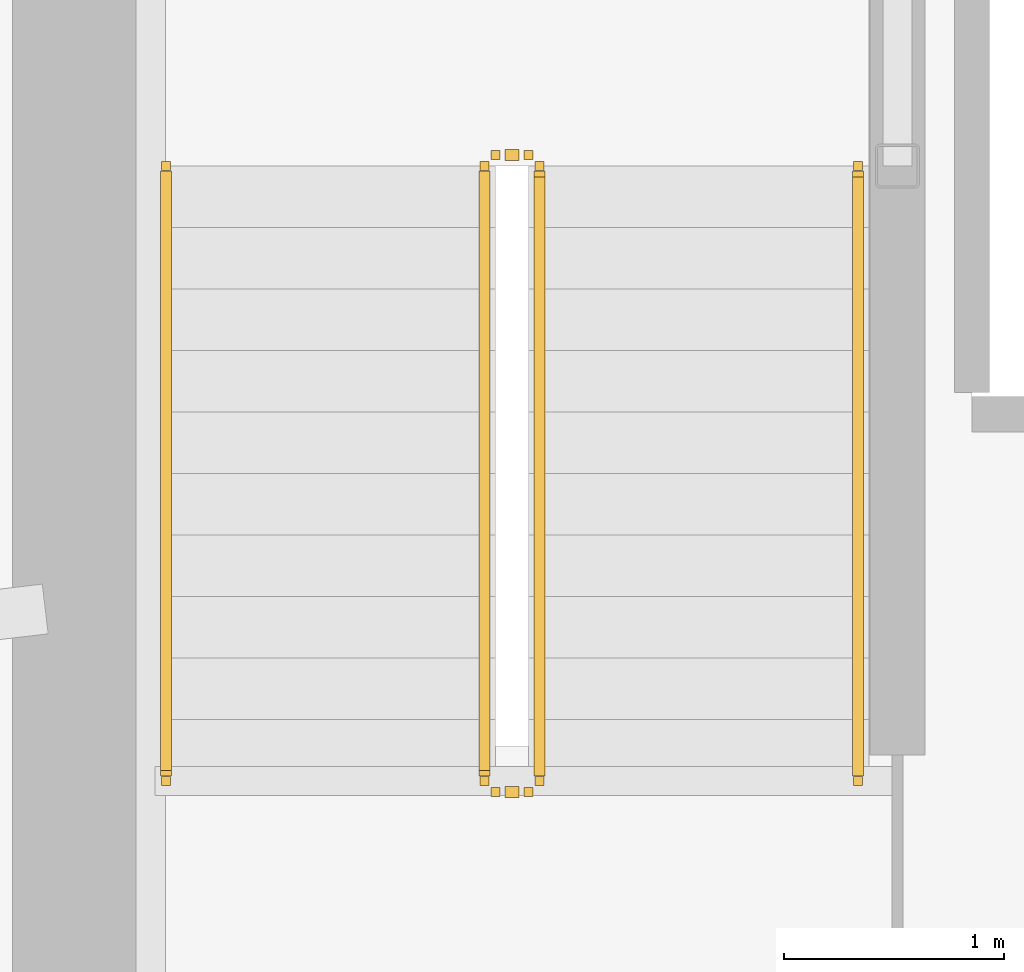
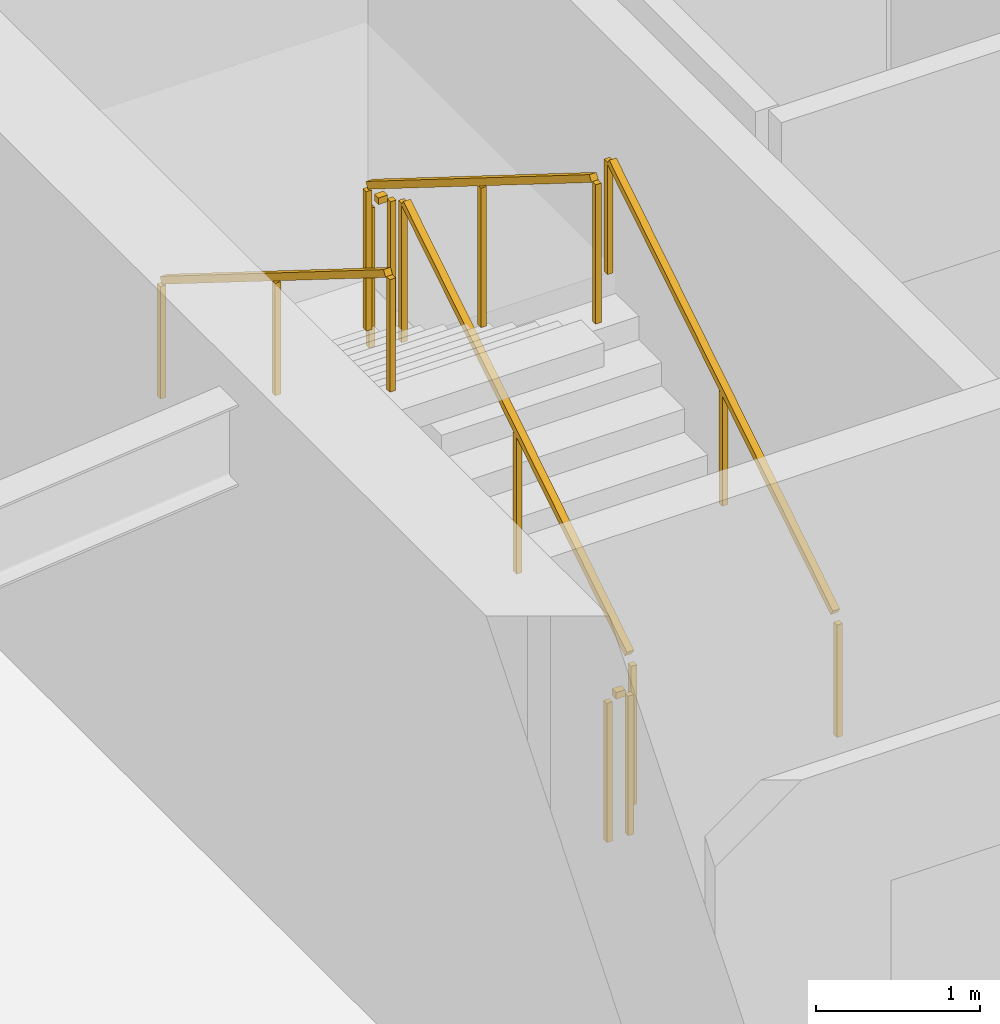
# One storey, part 25 of 30: 6 railings.
"""IFC4 building model written with IfcOpenShell, lengths in metres."""

import ifcopenshell
import ifcopenshell.guid

model = None  # the IFC model being written
_history = None  # IfcOwnerHistory: only IFC2X3 demands one
_inside = {}  # id of a spatial element -> (the spatial element, [elements in it])
_under = {}  # id of a project, library or spatial element -> (it, [spatial elements below it])
_declared = {}  # id of a project -> (the project, [libraries it declares])
_typed = {}  # id of a type object -> (the type object, [elements of that type])
_made_of = {}  # id of a material, layer set ... -> (it, [elements and type objects made of it])


def new_model(schema):
    """Start an empty IFC model of exactly this schema.

    Asked for "IFC4X3", IfcOpenShell would pick the latest addendum, in which some entities
    have other attributes; the version numbers below select the first issue.
    IFC2X3 requires an IfcOwnerHistory on every rooted entity: one is made here for all.
    """
    global model, _history
    if schema == "IFC4X3":
        model = ifcopenshell.file(schema_version=(4, 3, 0, 0))
    else:
        model = ifcopenshell.file(schema=schema)
    _inside.clear()
    _under.clear()
    _declared.clear()
    _typed.clear()
    _made_of.clear()
    _history = None
    if model.schema == "IFC2X3":
        org = make("IfcOrganization", Name="unknown")
        user = make(
            "IfcPersonAndOrganization",
            ThePerson=make("IfcPerson", FamilyName="unknown"),
            TheOrganization=org,
        )
        app = make(
            "IfcApplication",
            ApplicationDeveloper=org,
            Version="unknown",
            ApplicationFullName="unknown",
            ApplicationIdentifier="unknown",
        )
        _history = make(
            "IfcOwnerHistory",
            OwningUser=user,
            OwningApplication=app,
            ChangeAction="ADDED",
            CreationDate=0,
        )
    return model


def make(cls, **values):
    """One entity of the class cls with the attributes given. An attribute that is None is left unset."""
    return model.create_entity(
        cls, **{name: value for name, value in values.items() if value is not None}
    )


def rooted(cls, **values):
    """An entity with a GlobalId (a new one), such as an element, a storey or a relation."""
    return make(cls, GlobalId=ifcopenshell.guid.new(), OwnerHistory=_history, **values)


def si_unit(unit_type, name, prefix=None):
    """IfcSIUnit, for example si_unit("LENGTHUNIT", "METRE", prefix="MILLI")."""
    return make("IfcSIUnit", UnitType=unit_type, Prefix=prefix, Name=name)


def assignment(units):
    """IfcUnitAssignment: the units of a project."""
    return None if units is None else make("IfcUnitAssignment", Units=units)


def point(xyz):
    """IfcCartesianPoint."""
    return None if xyz is None else make("IfcCartesianPoint", Coordinates=xyz)


def direction(xyz):
    """IfcDirection."""
    return None if xyz is None else make("IfcDirection", DirectionRatios=xyz)


def frame(location, z_axis=None, x_axis=None):
    """IfcAxis2Placement3D, a coordinate frame: its origin and axes. An axis left out is left unset."""
    return make(
        "IfcAxis2Placement3D",
        Location=point(location),
        Axis=direction(z_axis),
        RefDirection=direction(x_axis),
    )


def frame_2d(location, x_axis=None):
    """IfcAxis2Placement2D, a coordinate frame in the plane: its origin and x axis."""
    return make(
        "IfcAxis2Placement2D", Location=point(location), RefDirection=direction(x_axis)
    )


def origin():
    """The frame at (0, 0, 0) with its axes left unset."""
    return frame((0.0, 0.0, 0.0))


def origin_2d():
    """The frame at (0, 0) in the plane with its x axis left unset."""
    return frame_2d((0.0, 0.0))


def place(relative_to, where):
    """IfcLocalPlacement: puts the frame where relative to a parent placement (None: the world)."""
    return make(
        "IfcLocalPlacement", PlacementRelTo=relative_to, RelativePlacement=where
    )


def context(
    kind, dimensions, precision=None, world=None, true_north=None, identifier=None
):
    """IfcGeometricRepresentationContext, for example the 3D "Model" context."""
    return make(
        "IfcGeometricRepresentationContext",
        ContextIdentifier=identifier,
        ContextType=kind,
        CoordinateSpaceDimension=dimensions,
        Precision=precision,
        WorldCoordinateSystem=world,
        TrueNorth=true_north,
    )


def subcontext(parent, identifier, kind, view, scale=None):
    """IfcGeometricRepresentationSubContext, for example "Body" below "Model"."""
    return make(
        "IfcGeometricRepresentationSubContext",
        ContextIdentifier=identifier,
        ContextType=kind,
        ParentContext=parent,
        TargetScale=scale,
        TargetView=view,
    )


def project(units=None, contexts=None):
    """IfcProject with its units and contexts."""
    return rooted(
        "IfcProject",
        Name="project",
        RepresentationContexts=contexts,
        UnitsInContext=assignment(units),
    )


def spatial(cls, under=None, at=None, **own):
    """A site, building, storey or space (cls), placed at a placement, below another one or the project."""
    s = rooted(cls, ObjectPlacement=at, **own)
    if under is not None:
        _under.setdefault(under.id(), (under, []))[1].append(s)
    return s


def profile(cls, at=None, kind="AREA", **sizes):
    """A parametric profile (cls). Its sizes go by their IFC names, for example OverallWidth=200.0."""
    return make(cls, ProfileType=kind, Position=at, **sizes)


def rectangle(**sizes):
    """IfcRectangleProfileDef."""
    return profile("IfcRectangleProfileDef", **sizes)


def extrude(swept, where, along, depth):
    """IfcExtrudedAreaSolid: the profile swept, set in the frame where, extruded along a direction by depth."""
    return make(
        "IfcExtrudedAreaSolid",
        SweptArea=swept,
        Position=where,
        ExtrudedDirection=direction(along),
        Depth=depth,
    )


def shape(context_of_items, identifier, shape_type, items):
    """IfcShapeRepresentation: the items that make up one representation, for example the "Body"."""
    return make(
        "IfcShapeRepresentation",
        ContextOfItems=context_of_items,
        RepresentationIdentifier=identifier,
        RepresentationType=shape_type,
        Items=items,
    )


def material(Name=None, Category=None):
    """IfcMaterial."""
    return make("IfcMaterial", Name=Name, Category=Category)


def made_of(thing, what):
    """Note that an element or type object is made of a material, layer set ...; save() writes the relation."""
    if what is not None:
        _made_of.setdefault(what.id(), (what, []))[1].append(thing)
    return thing


def type_object(cls, material=None, **own):
    """A type object (cls), such as IfcWallType, which elements share."""
    return made_of(rooted(cls, **own), material)


def element(
    cls,
    number,
    at=None,
    inside=None,
    cuts=None,
    type_object=None,
    material=None,
    context=None,
    identifier="Body",
    shape_type=None,
    held_by="IfcProductDefinitionShape",
    body=None,
    shapes=None,
    **own,
):
    """One element of the class cls, such as IfcWall. Its Tag is "e" and its number.

    at: its placement. inside: the storey or other place that contains it. cuts: it is an
    opening in that element (IfcRelVoidsElement). A single representation is given by context,
    identifier, shape_type and body (its items); several are given by shapes. held_by: the class
    of the entity that holds the representations. save() writes the other relations.
    """
    e = rooted(cls, Tag="e%d" % number, ObjectPlacement=at, **own)
    if body is not None:
        shapes = [shape(context, identifier, shape_type, body)]
    if shapes is not None:
        e.Representation = make(held_by, Representations=shapes)
    if inside is not None:
        _inside.setdefault(inside.id(), (inside, []))[1].append(e)
    if cuts is not None:
        rooted(
            "IfcRelVoidsElement", RelatingBuildingElement=cuts, RelatedOpeningElement=e
        )
    if type_object is not None:
        _typed.setdefault(type_object.id(), (type_object, []))[1].append(e)
    return made_of(e, material)


def aggregate(whole, parts):
    """IfcRelAggregates: a whole, such as a stair, and the parts it consists of."""
    return rooted("IfcRelAggregates", RelatingObject=whole, RelatedObjects=parts)


def save(model, path):
    """Write the relations noted so far, then the file.

    IfcRelAggregates (storeys below a building ...), IfcRelContainedInSpatialStructure (elements
    in a storey), IfcRelDefinesByType, IfcRelAssociatesMaterial and IfcRelDeclares: one each for
    every whole, place, type object, material and project.
    """
    for whole, parts in _under.values():
        aggregate(whole, parts)
    for where, things in _inside.values():
        rooted(
            "IfcRelContainedInSpatialStructure",
            RelatedElements=things,
            RelatingStructure=where,
        )
    for kind, things in _typed.values():
        rooted("IfcRelDefinesByType", RelatedObjects=things, RelatingType=kind)
    for what, things in _made_of.values():
        rooted("IfcRelAssociatesMaterial", RelatedObjects=things, RelatingMaterial=what)
    for by, libraries in _declared.values():
        rooted("IfcRelDeclares", RelatingContext=by, RelatedDefinitions=libraries)
    model.write(path)


model = new_model("IFC4")

# Units and contexts
model_context = context("Model", 3, precision=1e-05, world=origin(), true_north=direction((0.0, 1.0)))
body_context = subcontext(model_context, "Body", "Model", "MODEL_VIEW")
ifc_project = project(units=[si_unit("LENGTHUNIT", "METRE"), si_unit("AREAUNIT", "SQUARE_METRE"), si_unit("VOLUMEUNIT", "CUBIC_METRE"), si_unit("PLANEANGLEUNIT", "RADIAN"), si_unit("MASSUNIT", "GRAM", prefix="KILO")], contexts=[model_context])

# Site, building, storey
site_placement = place(None, origin())
site = spatial("IfcSite", under=ifc_project, at=site_placement, CompositionType="ELEMENT")
building_placement = place(site_placement, origin())
building = spatial("IfcBuilding", under=site, at=building_placement, Name="Kazma Halo Residences", CompositionType="ELEMENT")
storey_placement = place(building_placement, frame((0.0, 0.0, 236.699951171875)))
storey = spatial("IfcBuildingStorey", under=building, at=storey_placement, Name="L59", CompositionType="ELEMENT", Elevation=236.699951171875)

# Railings
ifc_material_1 = material(Name="Painted Steel S355", Category="steel")
railing_type_1 = type_object("IfcRailingType", Name="RLG-STAIR-GRD-1100", PredefinedType="GUARDRAIL", material=ifc_material_1)
railing_1_placement = place(storey_placement, frame((39.550048828125, 39.949951171875, 0.175048828125)))
element("IfcRailing", 1, at=railing_1_placement, inside=storey, type_object=railing_type_1, Name="L59 ST-01 stair guard 1", PredefinedType="GUARDRAIL", context=body_context, shape_type="SweptSolid", body=[
    extrude(rectangle(XDim=0.050048828125, YDim=0.050048828125, at=origin_2d()), frame((0.0, 0.0361328125, 1.09765625), z_axis=(0.0, 0.848002457836, 0.529992293815), x_axis=(-1.0, 0.0, 0.0)), (0.0, 0.0, 1.0), 3.216796875),
    extrude(rectangle(XDim=0.0400390625, YDim=0.0400390625, at=origin_2d()), origin(), (0.0, 0.0, 1.0), 1.0380859375),
    extrude(rectangle(XDim=0.0400390625, YDim=0.0400390625, at=origin_2d()), frame((0.0, 1.39990234375, 0.875)), (0.0, 0.0, 1.0), 1.0380859375),
    extrude(rectangle(XDim=0.0400390625, YDim=0.0400390625, at=origin_2d()), frame((0.0, 2.800048828125, 1.75)), (0.0, 0.0, 1.0), 1.0380859375),
])
railing_2_placement = place(storey_placement, frame((39.5, 42.800048828125, 1.925048828125)))
element("IfcRailing", 2, at=railing_2_placement, inside=storey, type_object=railing_type_1, Name="L59 ST-01 stair guard 2", PredefinedType="GUARDRAIL", context=body_context, shape_type="SweptSolid", body=[
    extrude(rectangle(XDim=0.050048828125, YDim=0.050048828125, at=origin_2d()), frame((-0.04248046875, 0.0, 1.0751953125), z_axis=(-1.0, 0.0, 0.0), x_axis=(0.0, -1.0, 0.0)), (0.0, 0.0, 1.0), 0.06494140625),
    extrude(rectangle(XDim=0.0400390625, YDim=0.0400390625, at=origin_2d()), origin(), (0.0, 0.0, 1.0), 1.0380859375),
    extrude(rectangle(XDim=0.0400390625, YDim=0.0400390625, at=origin_2d()), frame((-0.14990234375, 0.0, 0.0)), (0.0, 0.0, 1.0), 1.0380859375),
])
railing_3_placement = place(storey_placement, frame((39.300048828125, 42.75, 2.10009765625)))
element("IfcRailing", 3, at=railing_3_placement, inside=storey, type_object=railing_type_1, Name="L59 ST-01 stair guard 3", PredefinedType="GUARDRAIL", context=body_context, shape_type="SweptSolid", body=[
    extrude(rectangle(XDim=0.050048828125, YDim=0.050048828125, at=origin_2d()), frame((0.0, -0.0361328125, 1.09765625), z_axis=(0.0, -0.848002457836, 0.529992293815), x_axis=(1.0, 0.0, 0.0)), (0.0, 0.0, 1.0), 3.216796875),
    extrude(rectangle(XDim=0.0400390625, YDim=0.0400390625, at=origin_2d()), origin(), (0.0, 0.0, 1.0), 1.0380859375),
    extrude(rectangle(XDim=0.0400390625, YDim=0.0400390625, at=origin_2d()), frame((0.0, -1.39990234375, 0.875)), (0.0, 0.0, 1.0), 1.0380859375),
    extrude(rectangle(XDim=0.0400390625, YDim=0.0400390625, at=origin_2d()), frame((0.0, -2.800048828125, 1.75)), (0.0, 0.0, 1.0), 1.0380859375),
])
railing_4_placement = place(storey_placement, frame((39.5, 39.89990234375, 0.0)))
element("IfcRailing", 4, at=railing_4_placement, inside=storey, type_object=railing_type_1, Name="L59 ST-01 stair guard 4", PredefinedType="GUARDRAIL", context=body_context, shape_type="SweptSolid", body=[
    extrude(rectangle(XDim=0.050048828125, YDim=0.050048828125, at=origin_2d()), frame((-0.04248046875, 0.0, 1.0751953125), z_axis=(-1.0, 0.0, 0.0), x_axis=(0.0, -1.0, 0.0)), (0.0, 0.0, 1.0), 0.06494140625),
    extrude(rectangle(XDim=0.0400390625, YDim=0.0400390625, at=origin_2d()), origin(), (0.0, 0.0, 1.0), 1.0380859375),
    extrude(rectangle(XDim=0.0400390625, YDim=0.0400390625, at=origin_2d()), frame((-0.14990234375, 0.0, 0.0)), (0.0, 0.0, 1.0), 1.0380859375),
])
ifc_material_2 = material(Name="Brushed Stainless Steel", Category="steel")
railing_type_2 = type_object("IfcRailingType", Name="RLG-STAIR-HND-900", PredefinedType="HANDRAIL", material=ifc_material_2)
railing_5_placement = place(storey_placement, frame((41.0, 39.949951171875, 0.175048828125)))
element("IfcRailing", 5, at=railing_5_placement, inside=storey, type_object=railing_type_2, Name="L59 ST-01 stair handrail 1", PredefinedType="HANDRAIL", context=body_context, shape_type="SweptSolid", body=[
    extrude(rectangle(XDim=0.050048828125, YDim=0.050048828125, at=origin_2d()), frame((0.0, 0.0361328125, 0.8974609375), z_axis=(0.0, 0.848002457836, 0.529992293815), x_axis=(-1.0, 0.0, 0.0)), (0.0, 0.0, 1.0), 3.216796875),
    extrude(rectangle(XDim=0.0400390625, YDim=0.0400390625, at=origin_2d()), origin(), (0.0, 0.0, 1.0), 0.837890625),
    extrude(rectangle(XDim=0.0400390625, YDim=0.0400390625, at=origin_2d()), frame((0.0, 1.39990234375, 0.875)), (0.0, 0.0, 1.0), 0.837890625),
    extrude(rectangle(XDim=0.0400390625, YDim=0.0400390625, at=origin_2d()), frame((0.0, 2.800048828125, 1.75)), (0.0, 0.0, 1.0), 0.837890625),
])
railing_6_placement = place(storey_placement, frame((37.85009765625, 42.75, 2.10009765625)))
element("IfcRailing", 6, at=railing_6_placement, inside=storey, type_object=railing_type_2, Name="L59 ST-01 stair handrail 2", PredefinedType="HANDRAIL", context=body_context, shape_type="SweptSolid", body=[
    extrude(rectangle(XDim=0.050048828125, YDim=0.050048828125, at=origin_2d()), frame((0.0, -0.0361328125, 0.8974609375), z_axis=(0.0, -0.848002457836, 0.529992293815), x_axis=(1.0, 0.0, 0.0)), (0.0, 0.0, 1.0), 3.216796875),
    extrude(rectangle(XDim=0.0400390625, YDim=0.0400390625, at=origin_2d()), origin(), (0.0, 0.0, 1.0), 0.837890625),
    extrude(rectangle(XDim=0.0400390625, YDim=0.0400390625, at=origin_2d()), frame((0.0, -1.39990234375, 0.875)), (0.0, 0.0, 1.0), 0.837890625),
    extrude(rectangle(XDim=0.0400390625, YDim=0.0400390625, at=origin_2d()), frame((0.0, -2.800048828125, 1.75)), (0.0, 0.0, 1.0), 0.837890625),
])

save(model, "model.ifc")
